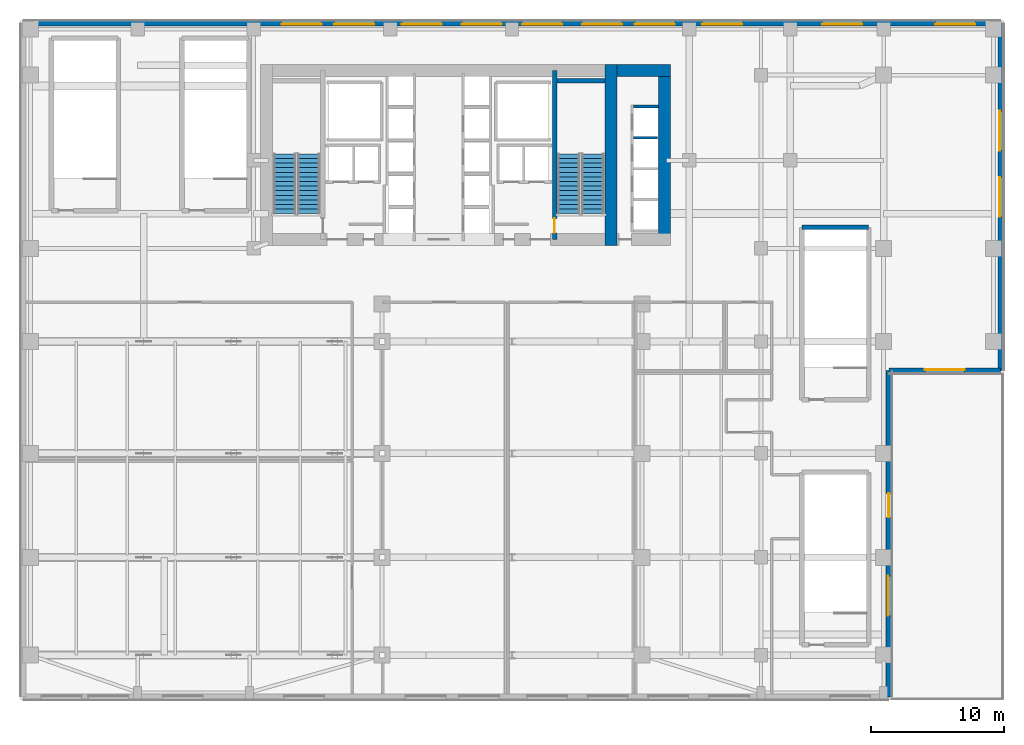
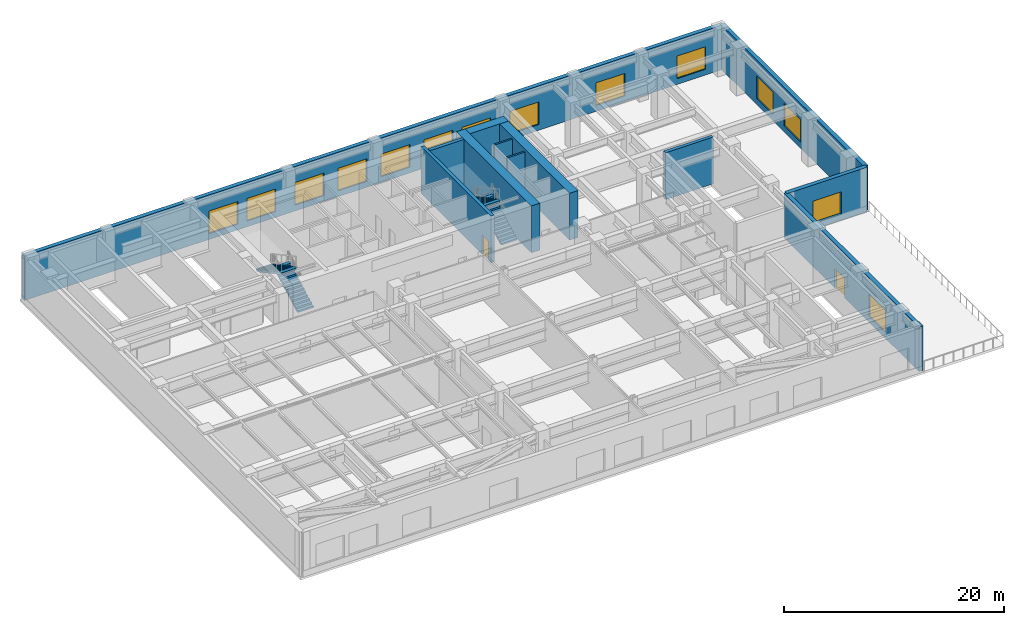
# One storey, part 8 of 14: 14 windows, 12 walls, 4 stair flights, 2 doors, 16 openings, 2 elements without a shape of their own.
"""IFC4 building model written with IfcOpenShell, lengths in metres."""

from ifc_helpers import new_model, si_unit, direction, frame, frame_2d, origin, place, context, subcontext, project, spatial, polyline, rectangle, outline, extrude, source, transform, mapped, material, layer, layer_set, type_object, type_shapes, element, fill, aggregate, save


model = new_model("IFC4")

# Units and contexts
model_context = context("Model", 3, precision=1e-05, world=origin(), true_north=direction((0.0, 1.0)))
body_context = subcontext(model_context, "Body", "Model", "MODEL_VIEW")
ifc_project = project(units=[si_unit("LENGTHUNIT", "METRE"), si_unit("AREAUNIT", "SQUARE_METRE"), si_unit("VOLUMEUNIT", "CUBIC_METRE"), si_unit("PLANEANGLEUNIT", "RADIAN"), si_unit("MASSUNIT", "GRAM", prefix="KILO")], contexts=[model_context])

# Site, building, storey
site_placement = place(None, origin())
site = spatial("IfcSite", under=ifc_project, at=site_placement, CompositionType="ELEMENT")
building_placement = place(site_placement, origin())
building = spatial("IfcBuilding", under=site, at=building_placement, Name="Tolvann Quenvar Hotel", CompositionType="ELEMENT")
storey_placement = place(building_placement, frame((0.0, 0.0, 26.800048828125)))
storey = spatial("IfcBuildingStorey", under=building, at=storey_placement, Name="L05", CompositionType="ELEMENT", Elevation=26.800048828125)

# Walls
ifc_material_1 = material(Name="Concrete S80 (80 MPa)", Category="concrete")
ifc_layer_1 = layer(ifc_material_1, 0.89990234375)
ifc_layer_set_1 = layer_set([ifc_layer_1], Name="Concrete S80 (80 MPa)")
wall_type_1 = type_object("IfcWallType", Name="WALL_CORE_900", PredefinedType="SHEAR", material=ifc_layer_set_1)
wall_1_placement = place(storey_placement, frame((35.949951171875, 31.60009765625, 0.0), z_axis=(0.0, 0.0, 1.0), x_axis=(0.0, 1.0, 0.0)))
element("IfcWall", 1, at=wall_1_placement, inside=storey, type_object=wall_type_1, Name="Rear Core E Shear Wall (L05)", PredefinedType="SHEAR", context=body_context, shape_type="SweptSolid", body=[
    extrude(rectangle(XDim=13.599853515625, YDim=0.89990234375, at=frame_2d((6.7998046875, 0.0))), origin(), (0.0, 0.0, 1.0), 5.199951171875),
])
wall_2_placement = place(storey_placement, frame((36.39990234375, 44.75, 0.0), z_axis=(0.0, 0.0, 1.0), x_axis=(1.0, 0.0, 0.0)))
element("IfcWall", 2, at=wall_2_placement, inside=storey, type_object=wall_type_1, Name="Core East Annex Shear Wall ANN-N (L05)", PredefinedType="SHEAR", context=body_context, shape_type="SweptSolid", body=[
    extrude(rectangle(XDim=4.0, YDim=0.89990234375, at=frame_2d((2.0, 0.0))), origin(), (0.0, 0.0, 1.0), 5.199951171875),
])
wall_3_placement = place(storey_placement, frame((39.949951171875, 31.60009765625, 0.0), z_axis=(0.0, 0.0, 1.0), x_axis=(0.0, 1.0, 0.0)))
element("IfcWall", 3, at=wall_3_placement, inside=storey, type_object=wall_type_1, Name="Core East Annex Shear Wall ANN-E (L05)", PredefinedType="SHEAR", context=body_context, shape_type="SweptSolid", body=[
    extrude(rectangle(XDim=13.599853515625, YDim=0.89990234375, at=frame_2d((6.7998046875, 0.0))), origin(), (0.0, 0.0, 1.0), 5.199951171875),
])

# Wall, opening, door
ifc_material_2 = material(Name="Concrete S65 (65 MPa)", Category="concrete")
ifc_layer_2 = layer(ifc_material_2, 0.35009765625)
ifc_layer_set_2 = layer_set([ifc_layer_2], Name="Concrete S65 (65 MPa)")
wall_type_2 = type_object("IfcWallType", Name="WALL_CORE_INT_350", PredefinedType="SHEAR", material=ifc_layer_set_2)
wall_4_placement = place(storey_placement, frame((31.699951171875, 32.050048828125, 0.0), z_axis=(0.0, 0.0, 1.0), x_axis=(0.0, 1.0, 0.0)))
wall_4 = element("IfcWall", 4, at=wall_4_placement, inside=storey, type_object=wall_type_2, Name="Core Internal Web Shear Wall WEB-E (L05)", PredefinedType="SHEAR", context=body_context, shape_type="SweptSolid", body=[
    extrude(rectangle(XDim=12.699951171875, YDim=0.35009765625, at=frame_2d((6.35009765625, 0.0))), origin(), (0.0, 0.0, 1.0), 5.199951171875),
])
opening_1_placement = place(wall_4_placement, frame((1.60009765625, 0.0, 0.0), z_axis=(0.0, 0.0, 1.0), x_axis=(-1.0, 0.0, 0.0)))
opening_1 = element("IfcOpeningElement", 5, at=opening_1_placement, cuts=wall_4, Name="Opening FD-120", PredefinedType="OPENING", context=body_context, shape_type="SweptSolid", body=[
    extrude(rectangle(XDim=1.10009765625, YDim=2.1201171875, at=frame_2d((0.550048828125, 1.06005859375))), frame((0.0, 0.18505859375, 0.0), z_axis=(0.0, -1.0, 0.0), x_axis=(1.0, 0.0, 0.0)), (0.0, 0.0, 1.0), 0.3701171875),
])
ifc_material_3 = material(Name="Pressed galvanised steel fire-rated door set", Category="steel")
door_type_1 = type_object("IfcDoorType", Name="DOOR_FIRE_STAIR_1100", OperationType="NOTDEFINED", PredefinedType="DOOR", material=ifc_material_3)
shared_shape_1 = source(origin(), body_context, "Body", "SweptSolid", [
    extrude(rectangle(XDim=1.10009765625, YDim=2.1201171875, at=frame_2d((0.550048828125, 1.06005859375))), frame((0.0, 0.02490234375, 0.0), z_axis=(0.0, -1.0, 0.0), x_axis=(1.0, 0.0, 0.0)), (0.0, 0.0, 1.0), 0.050048828125),
])
type_shapes(door_type_1, [shared_shape_1])
door_1_placement = place(opening_1_placement, origin())
door_1 = element("IfcDoor", 6, at=door_1_placement, inside=storey, type_object=door_type_1, Name="Exit Stair ST-C2 Fire Door (L05)", OperationType="SINGLE_SWING_RIGHT", OverallHeight=2.1201171875, OverallWidth=1.10009765625, PredefinedType="DOOR", context=body_context, shape_type="MappedRepresentation", body=[
    mapped(shared_shape_1, transform((0.0, 0.0, 0.0), x_axis=(1.0, 0.0, 0.0), y_axis=(0.0, 1.0, 0.0), z_axis=(0.0, 0.0, 1.0), scale=1.0)),
])
fill(opening_1, door_1)

# Walls
wall_5_placement = place(storey_placement, frame((31.8798828125, 43.97509765625, 0.0), z_axis=(0.0, 0.0, 1.0), x_axis=(1.0, 0.0, 0.0)))
element("IfcWall", 7, at=wall_5_placement, inside=storey, type_object=wall_type_2, Name="Core Stair North Closing Shear Wall STC2-N (L05)", PredefinedType="SHEAR", context=body_context, shape_type="SweptSolid", body=[
    extrude(rectangle(XDim=3.60009765625, YDim=0.35009765625, at=frame_2d((1.800048828125, 0.0))), origin(), (0.0, 0.0, 1.0), 5.199951171875),
])
wall_6_placement = place(storey_placement, frame((55.27490234375, 32.97509765625, 0.0), z_axis=(0.0, 0.0, 1.0), x_axis=(-1.0, 0.0, 0.0)))
element("IfcWall", 8, at=wall_6_placement, inside=storey, type_object=wall_type_2, Name="Stairwell ST-P4 Structural Shaft Wall N (L05)", PredefinedType="SHEAR", context=body_context, shape_type="SweptSolid", body=[
    extrude(rectangle(XDim=5.0, YDim=0.35009765625, at=frame_2d((2.5, 0.0))), origin(), (0.0, 0.0, 1.0), 5.199951171875),
])

# Wall, openings, window, door
ifc_material_4 = material(Name="Kiln-fired red and buff architectural clay brickwork and terracotta masonry", Category="masonry")
ifc_layer_3 = layer(ifc_material_4, 0.419921875)
ifc_layer_set_3 = layer_set([ifc_layer_3], Name="Kiln-fired red and buff architectural clay brickwork and terracotta masonry")
wall_type_3 = type_object("IfcWallType", Name="WALL_EXT_POD_420", PredefinedType="SOLIDWALL", material=ifc_layer_set_3)
wall_7_placement = place(storey_placement, frame((56.7900390625, -2.2900390625, 0.0), z_axis=(0.0, 0.0, 1.0), x_axis=(0.0, 1.0, 0.0)))
wall_7 = element("IfcWall", 9, at=wall_7_placement, inside=storey, type_object=wall_type_3, Name="Exterior Chicago Brick Wall L05-E01", PredefinedType="SOLIDWALL", context=body_context, shape_type="SweptSolid", body=[
    extrude(rectangle(XDim=24.5, YDim=0.419921875, at=frame_2d((12.25, 0.0))), origin(), (0.0, 0.0, 1.0), 4.93994140625),
])
opening_2_placement = place(wall_7_placement, frame((15.2900390625, 0.0, 0.0), z_axis=(0.0, 0.0, 1.0), x_axis=(-1.0, 0.0, 0.0)))
opening_2 = element("IfcOpeningElement", 10, at=opening_2_placement, cuts=wall_7, Name="Opening TD-01", PredefinedType="OPENING", context=body_context, shape_type="SweptSolid", body=[
    extrude(rectangle(XDim=1.800048828125, YDim=2.14990234375, at=frame_2d((0.89990234375, 1.074951171875))), frame((0.0, 0.219970703125, 0.0), z_axis=(0.0, -1.0, 0.0), x_axis=(1.0, 0.0, 0.0)), (0.0, 0.0, 1.0), 0.43994140625),
])
opening_3_placement = place(wall_7_placement, frame((6.090087890625, 0.0, 0.64990234375)))
opening_3 = element("IfcOpeningElement", 11, at=opening_3_placement, cuts=wall_7, Name="Opening W-05", PredefinedType="OPENING", context=body_context, shape_type="SweptSolid", body=[
    extrude(rectangle(XDim=3.0, YDim=2.5, at=frame_2d((1.5, 1.25))), frame((0.0, 0.219970703125, 0.0), z_axis=(0.0, -1.0, 0.0), x_axis=(1.0, 0.0, 0.0)), (0.0, 0.0, 1.0), 0.43994140625),
])
ifc_material_5 = material(Name="Thermally broken bronze-anodised aluminium frame with double low-E glazing", Category="aluminium")
window_type = type_object("IfcWindowType", Name="WIN_POD_3000x2600", PartitioningType="TRIPLE_PANEL_HORIZONTAL", PredefinedType="WINDOW", material=ifc_material_5)
shared_shape_2 = source(origin(), body_context, "Body", "SweptSolid", [
    extrude(rectangle(XDim=3.0, YDim=2.5, at=frame_2d((1.5, 1.25))), frame((0.0, 0.090087890625, 0.0), z_axis=(0.0, -1.0, 0.0), x_axis=(1.0, 0.0, 0.0)), (0.0, 0.0, 1.0), 0.06005859375),
])
type_shapes(window_type, [shared_shape_2])
window_1_placement = place(opening_3_placement, origin())
window_1 = element("IfcWindow", 12, at=window_1_placement, inside=storey, type_object=window_type, Name="Chicago Window W-05 (EW-L05-E01-W01)", OverallHeight=2.5, OverallWidth=3.0, PartitioningType="TRIPLE_PANEL_HORIZONTAL", PredefinedType="WINDOW", context=body_context, shape_type="MappedRepresentation", body=[
    mapped(shared_shape_2, transform((0.0, 0.0, 0.0), x_axis=(1.0, 0.0, 0.0), y_axis=(0.0, 1.0, 0.0), z_axis=(0.0, 0.0, 1.0), scale=1.0)),
])
fill(opening_3, window_1)
ifc_material_6 = material(Name="Bronze-anodised thermally broken aluminium glazed entrance door", Category="aluminium")
door_type_2 = type_object("IfcDoorType", Name="DOOR_EXT_TER_1800", OperationType="NOTDEFINED", PredefinedType="DOOR", material=ifc_material_6)
shared_shape_3 = source(origin(), body_context, "Body", "SweptSolid", [
    extrude(rectangle(XDim=1.800048828125, YDim=2.14990234375, at=frame_2d((0.89990234375, 1.074951171875))), frame((0.0, 0.02490234375, 0.0), z_axis=(0.0, -1.0, 0.0), x_axis=(1.0, 0.0, 0.0)), (0.0, 0.0, 1.0), 0.050048828125),
])
type_shapes(door_type_2, [shared_shape_3])
door_2_placement = place(opening_2_placement, origin())
door_2 = element("IfcDoor", 13, at=door_2_placement, inside=storey, type_object=door_type_2, Name="Spa Roof Terrace Access Door", OperationType="DOUBLE_DOOR_SINGLE_SWING", OverallHeight=2.14990234375, OverallWidth=1.800048828125, PredefinedType="DOOR", context=body_context, shape_type="MappedRepresentation", body=[
    mapped(shared_shape_3, transform((0.0, 0.0, 0.0), x_axis=(1.0, 0.0, 0.0), y_axis=(0.0, 1.0, 0.0), z_axis=(0.0, 0.0, 1.0), scale=1.0)),
])
fill(opening_2, door_2)

# Wall, opening, window
wall_8_placement = place(storey_placement, frame((56.7900390625, 22.2099609375, 0.0), z_axis=(0.0, 0.0, 1.0), x_axis=(1.0, 0.0, 0.0)))
wall_8 = element("IfcWall", 14, at=wall_8_placement, inside=storey, type_object=wall_type_3, Name="Exterior Chicago Brick Wall L05-E02", PredefinedType="SOLIDWALL", context=body_context, shape_type="SweptSolid", body=[
    extrude(rectangle(XDim=8.39990234375, YDim=0.419921875, at=frame_2d((4.199951171875, 0.0))), origin(), (0.0, 0.0, 1.0), 4.93994140625),
])
opening_4_placement = place(wall_8_placement, frame((2.699951171875, 0.0, 0.64990234375)))
opening_4 = element("IfcOpeningElement", 15, at=opening_4_placement, cuts=wall_8, Name="Opening W-05", PredefinedType="OPENING", context=body_context, shape_type="SweptSolid", body=[
    extrude(rectangle(XDim=3.0, YDim=2.5, at=frame_2d((1.5, 1.25))), frame((0.0, 0.219970703125, 0.0), z_axis=(0.0, -1.0, 0.0), x_axis=(1.0, 0.0, 0.0)), (0.0, 0.0, 1.0), 0.43994140625),
])
window_2_placement = place(opening_4_placement, origin())
window_2 = element("IfcWindow", 16, at=window_2_placement, inside=storey, type_object=window_type, Name="Chicago Window W-05 (EW-L05-E02-W01)", OverallHeight=2.5, OverallWidth=3.0, PartitioningType="TRIPLE_PANEL_HORIZONTAL", PredefinedType="WINDOW", context=body_context, shape_type="MappedRepresentation", body=[
    mapped(shared_shape_2, transform((0.0, 0.0, 0.0), x_axis=(1.0, 0.0, 0.0), y_axis=(0.0, 1.0, 0.0), z_axis=(0.0, 0.0, 1.0), scale=1.0)),
])
fill(opening_4, window_2)

# Wall, openings, windows
wall_9_placement = place(storey_placement, frame((65.18994140625, 22.2099609375, 0.0), z_axis=(0.0, 0.0, 1.0), x_axis=(0.0, 1.0, 0.0)))
wall_9 = element("IfcWall", 17, at=wall_9_placement, inside=storey, type_object=wall_type_3, Name="Exterior Chicago Brick Wall L05-E03", PredefinedType="SOLIDWALL", context=body_context, shape_type="SweptSolid", body=[
    extrude(rectangle(XDim=26.080078125, YDim=0.419921875, at=frame_2d((13.0400390625, 0.0))), origin(), (0.0, 0.0, 1.0), 4.93994140625),
])
opening_5_placement = place(wall_9_placement, frame((11.5400390625, 0.0, 0.64990234375)))
opening_5 = element("IfcOpeningElement", 18, at=opening_5_placement, cuts=wall_9, Name="Opening W-05", PredefinedType="OPENING", context=body_context, shape_type="SweptSolid", body=[
    extrude(rectangle(XDim=3.0, YDim=2.5, at=frame_2d((1.5, 1.25))), frame((0.0, 0.219970703125, 0.0), z_axis=(0.0, -1.0, 0.0), x_axis=(1.0, 0.0, 0.0)), (0.0, 0.0, 1.0), 0.43994140625),
])
opening_6_placement = place(wall_9_placement, frame((16.51611328125, 0.0, 0.64990234375)))
opening_6 = element("IfcOpeningElement", 19, at=opening_6_placement, cuts=wall_9, Name="Opening W-05", PredefinedType="OPENING", context=body_context, shape_type="SweptSolid", body=[
    extrude(rectangle(XDim=3.0, YDim=2.5, at=frame_2d((1.5, 1.25))), frame((0.0, 0.219970703125, 0.0), z_axis=(0.0, -1.0, 0.0), x_axis=(1.0, 0.0, 0.0)), (0.0, 0.0, 1.0), 0.43994140625),
])
window_3_placement = place(opening_5_placement, origin())
window_3 = element("IfcWindow", 20, at=window_3_placement, inside=storey, type_object=window_type, Name="Chicago Window W-05 (EW-L05-E03-W01)", OverallHeight=2.5, OverallWidth=3.0, PartitioningType="TRIPLE_PANEL_HORIZONTAL", PredefinedType="WINDOW", context=body_context, shape_type="MappedRepresentation", body=[
    mapped(shared_shape_2, transform((0.0, 0.0, 0.0), x_axis=(1.0, 0.0, 0.0), y_axis=(0.0, 1.0, 0.0), z_axis=(0.0, 0.0, 1.0), scale=1.0)),
])
fill(opening_5, window_3)
window_4_placement = place(opening_6_placement, origin())
window_4 = element("IfcWindow", 21, at=window_4_placement, inside=storey, type_object=window_type, Name="Chicago Window W-05 (EW-L05-E03-W02)", OverallHeight=2.5, OverallWidth=3.0, PartitioningType="TRIPLE_PANEL_HORIZONTAL", PredefinedType="WINDOW", context=body_context, shape_type="MappedRepresentation", body=[
    mapped(shared_shape_2, transform((0.0, 0.0, 0.0), x_axis=(1.0, 0.0, 0.0), y_axis=(0.0, 1.0, 0.0), z_axis=(0.0, 0.0, 1.0), scale=1.0)),
])
fill(opening_6, window_4)

wall_10_placement = place(storey_placement, frame((65.18994140625, 48.2900390625, 0.0), z_axis=(0.0, 0.0, 1.0), x_axis=(-1.0, 0.0, 0.0)))
wall_10 = element("IfcWall", 22, at=wall_10_placement, inside=storey, type_object=wall_type_3, Name="Exterior Chicago Brick Wall L05-E04", PredefinedType="SOLIDWALL", context=body_context, shape_type="SweptSolid", body=[
    extrude(rectangle(XDim=73.3798828125, YDim=0.419921875, at=frame_2d((36.68994140625, 0.0))), origin(), (0.0, 0.0, 1.0), 4.93994140625),
])
opening_7_placement = place(wall_10_placement, frame((1.906005859375, 0.0, 0.64990234375)))
opening_7 = element("IfcOpeningElement", 23, at=opening_7_placement, cuts=wall_10, Name="Opening W-05", PredefinedType="OPENING", context=body_context, shape_type="SweptSolid", body=[
    extrude(rectangle(XDim=3.0, YDim=2.5, at=frame_2d((1.5, 1.25))), frame((0.0, 0.219970703125, 0.0), z_axis=(0.0, -1.0, 0.0), x_axis=(1.0, 0.0, 0.0)), (0.0, 0.0, 1.0), 0.43994140625),
])
opening_8_placement = place(wall_10_placement, frame((10.3779296875, 0.0, 0.64990234375)))
opening_8 = element("IfcOpeningElement", 24, at=opening_8_placement, cuts=wall_10, Name="Opening W-05", PredefinedType="OPENING", context=body_context, shape_type="SweptSolid", body=[
    extrude(rectangle(XDim=3.0, YDim=2.5, at=frame_2d((1.5, 1.25))), frame((0.0, 0.219970703125, 0.0), z_axis=(0.0, -1.0, 0.0), x_axis=(1.0, 0.0, 0.0)), (0.0, 0.0, 1.0), 0.43994140625),
])
opening_9_placement = place(wall_10_placement, frame((19.40087890625, 0.0, 0.64990234375)))
opening_9 = element("IfcOpeningElement", 25, at=opening_9_placement, cuts=wall_10, Name="Opening W-05", PredefinedType="OPENING", context=body_context, shape_type="SweptSolid", body=[
    extrude(rectangle(XDim=3.0, YDim=2.5, at=frame_2d((1.5, 1.25))), frame((0.0, 0.219970703125, 0.0), z_axis=(0.0, -1.0, 0.0), x_axis=(1.0, 0.0, 0.0)), (0.0, 0.0, 1.0), 0.43994140625),
])
opening_10_placement = place(wall_10_placement, frame((24.4619140625, 0.0, 0.64990234375)))
opening_10 = element("IfcOpeningElement", 26, at=opening_10_placement, cuts=wall_10, Name="Opening W-05", PredefinedType="OPENING", context=body_context, shape_type="SweptSolid", body=[
    extrude(rectangle(XDim=3.0, YDim=2.5, at=frame_2d((1.5, 1.25))), frame((0.0, 0.219970703125, 0.0), z_axis=(0.0, -1.0, 0.0), x_axis=(1.0, 0.0, 0.0)), (0.0, 0.0, 1.0), 0.43994140625),
])
opening_11_placement = place(wall_10_placement, frame((28.423095703125, 0.0, 0.64990234375)))
opening_11 = element("IfcOpeningElement", 27, at=opening_11_placement, cuts=wall_10, Name="Opening W-05", PredefinedType="OPENING", context=body_context, shape_type="SweptSolid", body=[
    extrude(rectangle(XDim=3.0, YDim=2.5, at=frame_2d((1.5, 1.25))), frame((0.0, 0.219970703125, 0.0), z_axis=(0.0, -1.0, 0.0), x_axis=(1.0, 0.0, 0.0)), (0.0, 0.0, 1.0), 0.43994140625),
])
opening_12_placement = place(wall_10_placement, frame((32.93408203125, 0.0, 0.64990234375)))
opening_12 = element("IfcOpeningElement", 28, at=opening_12_placement, cuts=wall_10, Name="Opening W-05", PredefinedType="OPENING", context=body_context, shape_type="SweptSolid", body=[
    extrude(rectangle(XDim=3.0, YDim=2.5, at=frame_2d((1.5, 1.25))), frame((0.0, 0.219970703125, 0.0), z_axis=(0.0, -1.0, 0.0), x_axis=(1.0, 0.0, 0.0)), (0.0, 0.0, 1.0), 0.43994140625),
])
opening_13_placement = place(wall_10_placement, frame((37.446044921875, 0.0, 0.64990234375)))
opening_13 = element("IfcOpeningElement", 29, at=opening_13_placement, cuts=wall_10, Name="Opening W-05", PredefinedType="OPENING", context=body_context, shape_type="SweptSolid", body=[
    extrude(rectangle(XDim=3.0, YDim=2.5, at=frame_2d((1.5, 1.25))), frame((0.0, 0.219970703125, 0.0), z_axis=(0.0, -1.0, 0.0), x_axis=(1.0, 0.0, 0.0)), (0.0, 0.0, 1.0), 0.43994140625),
])
opening_14_placement = place(wall_10_placement, frame((41.95703125, 0.0, 0.64990234375)))
opening_14 = element("IfcOpeningElement", 30, at=opening_14_placement, cuts=wall_10, Name="Opening W-05", PredefinedType="OPENING", context=body_context, shape_type="SweptSolid", body=[
    extrude(rectangle(XDim=3.0, YDim=2.5, at=frame_2d((1.5, 1.25))), frame((0.0, 0.219970703125, 0.0), z_axis=(0.0, -1.0, 0.0), x_axis=(1.0, 0.0, 0.0)), (0.0, 0.0, 1.0), 0.43994140625),
])
opening_15_placement = place(wall_10_placement, frame((47.01806640625, 0.0, 0.64990234375)))
opening_15 = element("IfcOpeningElement", 31, at=opening_15_placement, cuts=wall_10, Name="Opening W-05", PredefinedType="OPENING", context=body_context, shape_type="SweptSolid", body=[
    extrude(rectangle(XDim=3.0, YDim=2.5, at=frame_2d((1.5, 1.25))), frame((0.0, 0.219970703125, 0.0), z_axis=(0.0, -1.0, 0.0), x_axis=(1.0, 0.0, 0.0)), (0.0, 0.0, 1.0), 0.43994140625),
])
opening_16_placement = place(wall_10_placement, frame((50.97900390625, 0.0, 0.64990234375)))
opening_16 = element("IfcOpeningElement", 32, at=opening_16_placement, cuts=wall_10, Name="Opening W-05", PredefinedType="OPENING", context=body_context, shape_type="SweptSolid", body=[
    extrude(rectangle(XDim=3.0, YDim=2.5, at=frame_2d((1.5, 1.25))), frame((0.0, 0.219970703125, 0.0), z_axis=(0.0, -1.0, 0.0), x_axis=(1.0, 0.0, 0.0)), (0.0, 0.0, 1.0), 0.43994140625),
])
window_5_placement = place(opening_7_placement, origin())
window_5 = element("IfcWindow", 33, at=window_5_placement, inside=storey, type_object=window_type, Name="Chicago Window W-05 (EW-L05-E04-W01)", OverallHeight=2.5, OverallWidth=3.0, PartitioningType="TRIPLE_PANEL_HORIZONTAL", PredefinedType="WINDOW", context=body_context, shape_type="MappedRepresentation", body=[
    mapped(shared_shape_2, transform((0.0, 0.0, 0.0), x_axis=(1.0, 0.0, 0.0), y_axis=(0.0, 1.0, 0.0), z_axis=(0.0, 0.0, 1.0), scale=1.0)),
])
fill(opening_7, window_5)
window_6_placement = place(opening_8_placement, origin())
window_6 = element("IfcWindow", 34, at=window_6_placement, inside=storey, type_object=window_type, Name="Chicago Window W-05 (EW-L05-E04-W02)", OverallHeight=2.5, OverallWidth=3.0, PartitioningType="TRIPLE_PANEL_HORIZONTAL", PredefinedType="WINDOW", context=body_context, shape_type="MappedRepresentation", body=[
    mapped(shared_shape_2, transform((0.0, 0.0, 0.0), x_axis=(1.0, 0.0, 0.0), y_axis=(0.0, 1.0, 0.0), z_axis=(0.0, 0.0, 1.0), scale=1.0)),
])
fill(opening_8, window_6)
window_7_placement = place(opening_9_placement, origin())
window_7 = element("IfcWindow", 35, at=window_7_placement, inside=storey, type_object=window_type, Name="Chicago Window W-05 (EW-L05-E04-W03)", OverallHeight=2.5, OverallWidth=3.0, PartitioningType="TRIPLE_PANEL_HORIZONTAL", PredefinedType="WINDOW", context=body_context, shape_type="MappedRepresentation", body=[
    mapped(shared_shape_2, transform((0.0, 0.0, 0.0), x_axis=(1.0, 0.0, 0.0), y_axis=(0.0, 1.0, 0.0), z_axis=(0.0, 0.0, 1.0), scale=1.0)),
])
fill(opening_9, window_7)
window_8_placement = place(opening_10_placement, origin())
window_8 = element("IfcWindow", 36, at=window_8_placement, inside=storey, type_object=window_type, Name="Chicago Window W-05 (EW-L05-E04-W04)", OverallHeight=2.5, OverallWidth=3.0, PartitioningType="TRIPLE_PANEL_HORIZONTAL", PredefinedType="WINDOW", context=body_context, shape_type="MappedRepresentation", body=[
    mapped(shared_shape_2, transform((0.0, 0.0, 0.0), x_axis=(1.0, 0.0, 0.0), y_axis=(0.0, 1.0, 0.0), z_axis=(0.0, 0.0, 1.0), scale=1.0)),
])
fill(opening_10, window_8)
window_9_placement = place(opening_11_placement, origin())
window_9 = element("IfcWindow", 37, at=window_9_placement, inside=storey, type_object=window_type, Name="Chicago Window W-05 (EW-L05-E04-W05)", OverallHeight=2.5, OverallWidth=3.0, PartitioningType="TRIPLE_PANEL_HORIZONTAL", PredefinedType="WINDOW", context=body_context, shape_type="MappedRepresentation", body=[
    mapped(shared_shape_2, transform((0.0, 0.0, 0.0), x_axis=(1.0, 0.0, 0.0), y_axis=(0.0, 1.0, 0.0), z_axis=(0.0, 0.0, 1.0), scale=1.0)),
])
fill(opening_11, window_9)
window_10_placement = place(opening_12_placement, origin())
window_10 = element("IfcWindow", 38, at=window_10_placement, inside=storey, type_object=window_type, Name="Chicago Window W-05 (EW-L05-E04-W06)", OverallHeight=2.5, OverallWidth=3.0, PartitioningType="TRIPLE_PANEL_HORIZONTAL", PredefinedType="WINDOW", context=body_context, shape_type="MappedRepresentation", body=[
    mapped(shared_shape_2, transform((0.0, 0.0, 0.0), x_axis=(1.0, 0.0, 0.0), y_axis=(0.0, 1.0, 0.0), z_axis=(0.0, 0.0, 1.0), scale=1.0)),
])
fill(opening_12, window_10)
window_11_placement = place(opening_13_placement, origin())
window_11 = element("IfcWindow", 39, at=window_11_placement, inside=storey, type_object=window_type, Name="Chicago Window W-05 (EW-L05-E04-W07)", OverallHeight=2.5, OverallWidth=3.0, PartitioningType="TRIPLE_PANEL_HORIZONTAL", PredefinedType="WINDOW", context=body_context, shape_type="MappedRepresentation", body=[
    mapped(shared_shape_2, transform((0.0, 0.0, 0.0), x_axis=(1.0, 0.0, 0.0), y_axis=(0.0, 1.0, 0.0), z_axis=(0.0, 0.0, 1.0), scale=1.0)),
])
fill(opening_13, window_11)
window_12_placement = place(opening_14_placement, origin())
window_12 = element("IfcWindow", 40, at=window_12_placement, inside=storey, type_object=window_type, Name="Chicago Window W-05 (EW-L05-E04-W08)", OverallHeight=2.5, OverallWidth=3.0, PartitioningType="TRIPLE_PANEL_HORIZONTAL", PredefinedType="WINDOW", context=body_context, shape_type="MappedRepresentation", body=[
    mapped(shared_shape_2, transform((0.0, 0.0, 0.0), x_axis=(1.0, 0.0, 0.0), y_axis=(0.0, 1.0, 0.0), z_axis=(0.0, 0.0, 1.0), scale=1.0)),
])
fill(opening_14, window_12)
window_13_placement = place(opening_15_placement, origin())
window_13 = element("IfcWindow", 41, at=window_13_placement, inside=storey, type_object=window_type, Name="Chicago Window W-05 (EW-L05-E04-W09)", OverallHeight=2.5, OverallWidth=3.0, PartitioningType="TRIPLE_PANEL_HORIZONTAL", PredefinedType="WINDOW", context=body_context, shape_type="MappedRepresentation", body=[
    mapped(shared_shape_2, transform((0.0, 0.0, 0.0), x_axis=(1.0, 0.0, 0.0), y_axis=(0.0, 1.0, 0.0), z_axis=(0.0, 0.0, 1.0), scale=1.0)),
])
fill(opening_15, window_13)
window_14_placement = place(opening_16_placement, origin())
window_14 = element("IfcWindow", 42, at=window_14_placement, inside=storey, type_object=window_type, Name="Chicago Window W-05 (EW-L05-E04-W10)", OverallHeight=2.5, OverallWidth=3.0, PartitioningType="TRIPLE_PANEL_HORIZONTAL", PredefinedType="WINDOW", context=body_context, shape_type="MappedRepresentation", body=[
    mapped(shared_shape_2, transform((0.0, 0.0, 0.0), x_axis=(1.0, 0.0, 0.0), y_axis=(0.0, 1.0, 0.0), z_axis=(0.0, 0.0, 1.0), scale=1.0)),
])
fill(opening_16, window_14)

# Walls
ifc_material_7 = material(Name="Concrete N40 (40 MPa)", Category="concrete")
ifc_layer_4 = layer(ifc_material_7, 0.199951171875)
ifc_layer_set_4 = layer_set([ifc_layer_4], Name="Concrete N40 (40 MPa)")
wall_type_4 = type_object("IfcWallType", Name="WALL_SHAFT_200", PredefinedType="SOLIDWALL", material=ifc_layer_set_4)
wall_11_placement = place(storey_placement, frame((37.6298828125, 42.050048828125, 0.0), z_axis=(0.0, 0.0, 1.0), x_axis=(1.0, 0.0, 0.0)))
element("IfcWall", 43, at=wall_11_placement, inside=storey, type_object=wall_type_4, Name="Lift Bank W37.6C1 Hoistway Cheek Wall 2 (L05)", PredefinedType="SOLIDWALL", context=body_context, shape_type="SweptSolid", body=[
    extrude(rectangle(XDim=1.8701171875, YDim=0.199951171875, at=frame_2d((0.93505859375, 0.0))), origin(), (0.0, 0.0, 1.0), 4.93994140625),
])
wall_12_placement = place(storey_placement, frame((37.6298828125, 39.699951171875, 0.0), z_axis=(0.0, 0.0, 1.0), x_axis=(1.0, 0.0, 0.0)))
element("IfcWall", 44, at=wall_12_placement, inside=storey, type_object=wall_type_4, Name="Lift Bank W37.6C1 Divider Wall 3 (L05)", PredefinedType="SOLIDWALL", context=body_context, shape_type="SweptSolid", body=[
    extrude(rectangle(XDim=1.800048828125, YDim=0.199951171875, at=frame_2d((0.89990234375, 0.0))), origin(), (0.0, 0.0, 1.0), 4.93994140625),
])

# Stair, stair flights
stair_type = type_object("IfcStairType", Name="STAIR", PredefinedType="HALF_TURN_STAIR", material=ifc_material_7)
stair_1_placement = place(storey_placement, origin())
stair_1 = element("IfcStair", 45, at=stair_1_placement, inside=storey, type_object=stair_type, Name="L05 ST-C1", PredefinedType="HALF_TURN_STAIR")
stair_flight_type = type_object("IfcStairFlightType", Name="STAIR_FLIGHT", PredefinedType="STRAIGHT", material=ifc_material_7)
stair_flight_1_placement = place(storey_placement, frame((13.22509765625, 34.0, 0.0), z_axis=(0.0, 0.0, 1.0), x_axis=(0.0, 1.0, 0.0)))
stair_flight_1 = element("IfcStairFlight", 46, at=stair_flight_1_placement, type_object=stair_flight_type, Name="ST-C1 flight 1", NumberOfRisers=14, NumberOfTreads=13, PredefinedType="STRAIGHT", RiserHeight=0.185714286, TreadLength=0.345, context=body_context, shape_type="SweptSolid", body=[
    extrude(outline(polyline([(0.0, 0.0), (0.0, 0.185791015625), (0.344970703125, 0.185791015625), (0.344970703125, 0.371337890625), (0.68994140625, 0.371337890625), (0.68994140625, 0.55712890625), (1.034912109375, 0.55712890625), (1.034912109375, 0.742919921875), (1.3798828125, 0.742919921875), (1.3798828125, 0.928466796875), (1.72509765625, 0.928466796875), (1.72509765625, 1.1142578125), (2.070068359375, 1.1142578125), (2.070068359375, 1.300048828125), (2.4150390625, 1.300048828125), (2.4150390625, 1.485595703125), (2.760009765625, 1.485595703125), (2.760009765625, 1.67138671875), (3.10498046875, 1.67138671875), (3.10498046875, 1.857177734375), (3.449951171875, 1.857177734375), (3.449951171875, 2.04296875), (3.794921875, 2.04296875), (3.794921875, 2.228515625), (4.139892578125, 2.228515625), (4.139892578125, 2.414306640625), (4.485107421875, 2.414306640625), (4.485107421875, 2.60009765625), (4.485107421875, 2.244140625), (0.316162109375, 0.0), (0.0, 0.0)])), frame((0.0, 0.824951171875, 0.0), z_axis=(0.0, -1.0, 0.0), x_axis=(1.0, 0.0, 0.0)), (0.0, 0.0, 1.0), 1.64990234375),
])
stair_flight_2_placement = place(storey_placement, frame((11.425048828125, 38.485107421875, 2.599853515625), z_axis=(0.0, 0.0, 1.0), x_axis=(0.0, -1.0, 0.0)))
stair_flight_2 = element("IfcStairFlight", 47, at=stair_flight_2_placement, type_object=stair_flight_type, Name="ST-C1 flight 2", NumberOfRisers=14, NumberOfTreads=13, PredefinedType="STRAIGHT", RiserHeight=0.185714286, TreadLength=0.345, context=body_context, shape_type="SweptSolid", body=[
    extrude(outline(polyline([(0.0, 0.0), (0.0, 0.185791015625), (0.344970703125, 0.185791015625), (0.344970703125, 0.371337890625), (0.68994140625, 0.371337890625), (0.68994140625, 0.55712890625), (1.034912109375, 0.55712890625), (1.034912109375, 0.742919921875), (1.3798828125, 0.742919921875), (1.3798828125, 0.928466796875), (1.72509765625, 0.928466796875), (1.72509765625, 1.1142578125), (2.070068359375, 1.1142578125), (2.070068359375, 1.300048828125), (2.4150390625, 1.300048828125), (2.4150390625, 1.485595703125), (2.760009765625, 1.485595703125), (2.760009765625, 1.67138671875), (3.10498046875, 1.67138671875), (3.10498046875, 1.857177734375), (3.449951171875, 1.857177734375), (3.449951171875, 2.04296875), (3.794921875, 2.04296875), (3.794921875, 2.228515625), (4.139892578125, 2.228515625), (4.139892578125, 2.414306640625), (4.485107421875, 2.414306640625), (4.485107421875, 2.60009765625), (4.485107421875, 2.244140625), (0.316162109375, 0.0), (0.0, 0.0)])), frame((0.0, 0.824951171875, 0.0), z_axis=(0.0, -1.0, 0.0), x_axis=(1.0, 0.0, 0.0)), (0.0, 0.0, 1.0), 1.64990234375),
])
aggregate(stair_1, [stair_flight_1, stair_flight_2])

stair_2_placement = place(storey_placement, origin())
stair_2 = element("IfcStair", 48, at=stair_2_placement, inside=storey, type_object=stair_type, Name="L05 ST-C2", PredefinedType="HALF_TURN_STAIR")
stair_flight_3_placement = place(storey_placement, frame((34.574951171875, 34.0, 0.0), z_axis=(0.0, 0.0, 1.0), x_axis=(0.0, 1.0, 0.0)))
stair_flight_3 = element("IfcStairFlight", 49, at=stair_flight_3_placement, type_object=stair_flight_type, Name="ST-C2 flight 1", NumberOfRisers=14, NumberOfTreads=13, PredefinedType="STRAIGHT", RiserHeight=0.185714286, TreadLength=0.345, context=body_context, shape_type="SweptSolid", body=[
    extrude(outline(polyline([(0.0, 0.0), (0.0, 0.185791015625), (0.344970703125, 0.185791015625), (0.344970703125, 0.371337890625), (0.68994140625, 0.371337890625), (0.68994140625, 0.55712890625), (1.034912109375, 0.55712890625), (1.034912109375, 0.742919921875), (1.3798828125, 0.742919921875), (1.3798828125, 0.928466796875), (1.72509765625, 0.928466796875), (1.72509765625, 1.1142578125), (2.070068359375, 1.1142578125), (2.070068359375, 1.300048828125), (2.4150390625, 1.300048828125), (2.4150390625, 1.485595703125), (2.760009765625, 1.485595703125), (2.760009765625, 1.67138671875), (3.10498046875, 1.67138671875), (3.10498046875, 1.857177734375), (3.449951171875, 1.857177734375), (3.449951171875, 2.04296875), (3.794921875, 2.04296875), (3.794921875, 2.228515625), (4.139892578125, 2.228515625), (4.139892578125, 2.414306640625), (4.485107421875, 2.414306640625), (4.485107421875, 2.60009765625), (4.485107421875, 2.244140625), (0.316162109375, 0.0), (0.0, 0.0)])), frame((0.0, 0.824951171875, 0.0), z_axis=(0.0, -1.0, 0.0), x_axis=(1.0, 0.0, 0.0)), (0.0, 0.0, 1.0), 1.64990234375),
])
stair_flight_4_placement = place(storey_placement, frame((32.77490234375, 38.485107421875, 2.599853515625), z_axis=(0.0, 0.0, 1.0), x_axis=(0.0, -1.0, 0.0)))
stair_flight_4 = element("IfcStairFlight", 50, at=stair_flight_4_placement, type_object=stair_flight_type, Name="ST-C2 flight 2", NumberOfRisers=14, NumberOfTreads=13, PredefinedType="STRAIGHT", RiserHeight=0.185714286, TreadLength=0.345, context=body_context, shape_type="SweptSolid", body=[
    extrude(outline(polyline([(0.0, 0.0), (0.0, 0.185791015625), (0.344970703125, 0.185791015625), (0.344970703125, 0.371337890625), (0.68994140625, 0.371337890625), (0.68994140625, 0.55712890625), (1.034912109375, 0.55712890625), (1.034912109375, 0.742919921875), (1.3798828125, 0.742919921875), (1.3798828125, 0.928466796875), (1.72509765625, 0.928466796875), (1.72509765625, 1.1142578125), (2.070068359375, 1.1142578125), (2.070068359375, 1.300048828125), (2.4150390625, 1.300048828125), (2.4150390625, 1.485595703125), (2.760009765625, 1.485595703125), (2.760009765625, 1.67138671875), (3.10498046875, 1.67138671875), (3.10498046875, 1.857177734375), (3.449951171875, 1.857177734375), (3.449951171875, 2.04296875), (3.794921875, 2.04296875), (3.794921875, 2.228515625), (4.139892578125, 2.228515625), (4.139892578125, 2.414306640625), (4.485107421875, 2.414306640625), (4.485107421875, 2.60009765625), (4.485107421875, 2.244140625), (0.316162109375, 0.0), (0.0, 0.0)])), frame((0.0, 0.824951171875, 0.0), z_axis=(0.0, -1.0, 0.0), x_axis=(1.0, 0.0, 0.0)), (0.0, 0.0, 1.0), 1.64990234375),
])
aggregate(stair_2, [stair_flight_3, stair_flight_4])

save(model, "model.ifc")
